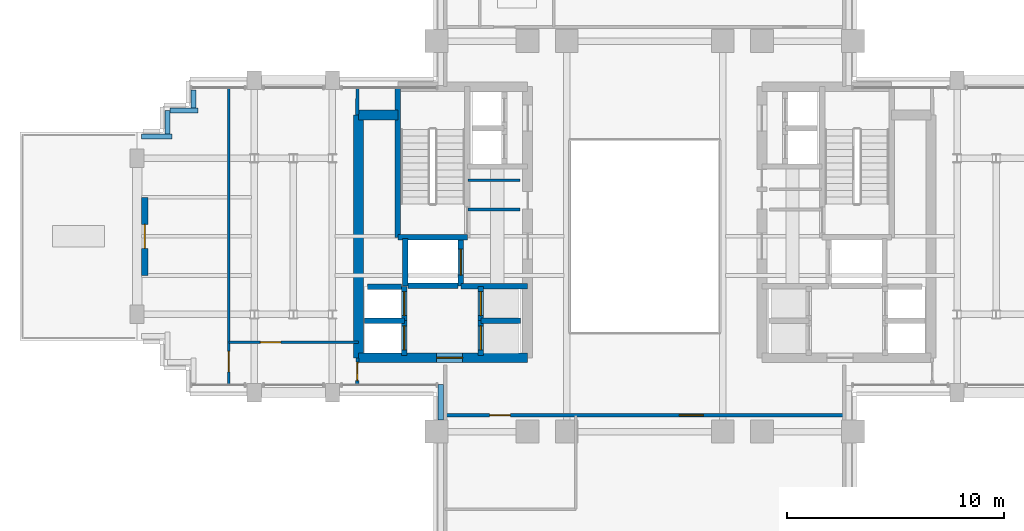
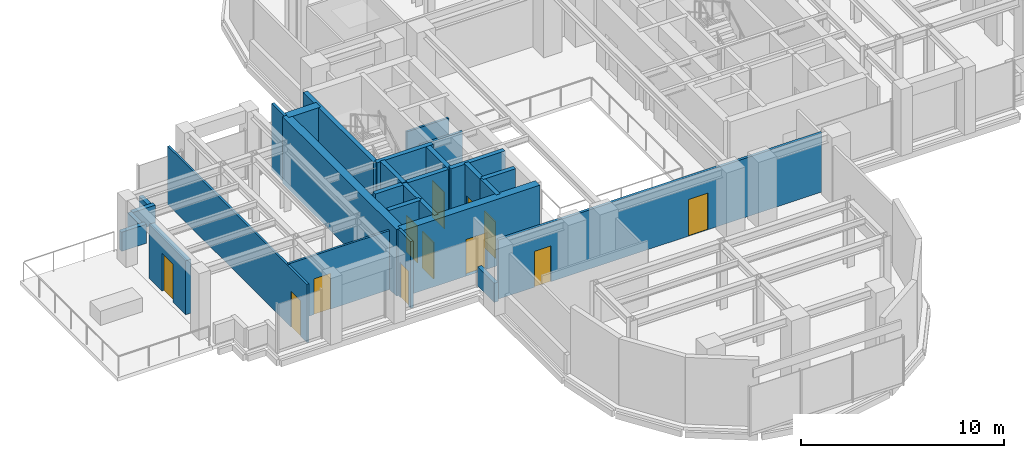
# One storey, part 8 of 16: 29 walls, 12 doors, 12 openings.
"""IFC4 building model written with IfcOpenShell, lengths in metres."""

from ifc_helpers import new_model, si_unit, direction, frame, frame_2d, origin, place, context, subcontext, project, spatial, rectangle, extrude, source, transform, mapped, material, layer, layer_set, type_object, element, fill, save


model = new_model("IFC4")

# Units and contexts
model_context = context("Model", 3, precision=1e-05, world=origin(), true_north=direction((0.0, 1.0)))
body_context = subcontext(model_context, "Body", "Model", "MODEL_VIEW")
ifc_project = project(units=[si_unit("LENGTHUNIT", "METRE"), si_unit("AREAUNIT", "SQUARE_METRE"), si_unit("VOLUMEUNIT", "CUBIC_METRE"), si_unit("PLANEANGLEUNIT", "RADIAN"), si_unit("MASSUNIT", "GRAM", prefix="KILO")], contexts=[model_context])

# Site, building, storey
site_placement = place(None, origin())
site = spatial("IfcSite", under=ifc_project, at=site_placement, CompositionType="ELEMENT")
building_placement = place(site_placement, origin())
building = spatial("IfcBuilding", under=site, at=building_placement, Name="Keilestroom Media Tower", CompositionType="ELEMENT")
storey_placement = place(building_placement, frame((0.0, 0.0, 93.0)))
storey = spatial("IfcBuildingStorey", under=building, at=storey_placement, Name="L24", CompositionType="ELEMENT", Elevation=93.0)

# Wall, opening, door
ifc_material_1 = material(Name="Precast concrete C40/50", Category="concrete")
ifc_layer_1 = layer(ifc_material_1, 0.300048828125)
ifc_layer_set_1 = layer_set([ifc_layer_1], Name="Precast concrete C40/50")
wall_type_1 = type_object("IfcWallType", Name="Exterior-Masonry-Spandrel-Wall-300", PredefinedType="SOLIDWALL", material=ifc_layer_set_1)
wall_1_placement = place(storey_placement, frame((-23.050048828125, -1.800048828125, 0.0), z_axis=(0.0, 0.0, 1.0), x_axis=(0.0, 1.0, 0.0)))
wall_1 = element("IfcWall", 1, at=wall_1_placement, inside=storey, type_object=wall_type_1, Name="L24 Terrace Threshold Wall SG24-W", PredefinedType="SOLIDWALL", context=body_context, shape_type="SweptSolid", body=[
    extrude(rectangle(XDim=3.60009765625, YDim=0.300048828125, at=frame_2d((1.800048828125, 0.0))), origin(), (0.0, 0.0, 1.0), 3.25),
])
opening_1_placement = place(wall_1_placement, frame((1.25, 0.0, 0.0)))
opening_1 = element("IfcOpeningElement", 2, at=opening_1_placement, cuts=wall_1, Name="Opening DE-02", PredefinedType="OPENING", context=body_context, shape_type="SweptSolid", body=[
    extrude(rectangle(XDim=1.10009765625, YDim=2.300048828125, at=frame_2d((0.550048828125, 1.14990234375))), frame((0.0, 0.16015625, 0.0), z_axis=(0.0, -1.0, 0.0), x_axis=(1.0, 0.0, 0.0)), (0.0, 0.0, 1.0), 0.320068359375),
])
ifc_material_2 = material(Name="Thermally Broken Aluminium & Laminated Glass", Category="aluminium")
door_type_1 = type_object("IfcDoorType", Name="Exterior-Entrance-And-Terrace-Door-DE-02", OperationType="NOTDEFINED", PredefinedType="DOOR", material=ifc_material_2)
shared_shape_1 = source(origin(), body_context, "Body", "SweptSolid", [
    extrude(rectangle(XDim=1.10009765625, YDim=2.300048828125, at=frame_2d((0.550048828125, 1.14990234375))), frame((0.0, 0.02490234375, 0.0), z_axis=(0.0, -1.0, 0.0), x_axis=(1.0, 0.0, 0.0)), (0.0, 0.0, 1.0), 0.050048828125),
])
door_1_placement = place(opening_1_placement, origin())
door_1 = element("IfcDoor", 3, at=door_1_placement, inside=storey, type_object=door_type_1, Name="L24 Terrace Access Door DE-02 SG24-W", OperationType="SINGLE_SWING_LEFT", OverallHeight=2.300048828125, OverallWidth=1.10009765625, PredefinedType="DOOR", context=body_context, shape_type="MappedRepresentation", body=[
    mapped(shared_shape_1, transform((0.0, 0.0, 0.0), x_axis=(1.0, 0.0, 0.0), y_axis=(0.0, 1.0, 0.0), z_axis=(0.0, 0.0, 1.0), scale=1.0)),
])
fill(opening_1, door_1)

# Wall
ifc_material_3 = material(Name="Gypsum Plasterboard & Steel Stud", Category="steel")
ifc_layer_2 = layer(ifc_material_3, 0.1201171875)
ifc_layer_set_2 = layer_set([ifc_layer_2], Name="Gypsum Plasterboard & Steel Stud")
wall_type_2 = type_object("IfcWallType", Name="Interior-Partition-Wall-120", PredefinedType="PARTITIONING", material=ifc_layer_set_2)
wall_2_placement = place(storey_placement, frame((-8.139892578125, 2.580078125, 0.0), z_axis=(0.0, 0.0, 1.0), x_axis=(1.0, 0.0, 0.0)))
element("IfcWall", 4, at=wall_2_placement, inside=storey, type_object=wall_type_2, Name="L24 Interior Wall WP-L24-CNW-N", PredefinedType="PARTITIONING", context=body_context, shape_type="SweptSolid", body=[
    extrude(rectangle(XDim=2.389892578125, YDim=0.1201171875, at=frame_2d((1.19482421875, 0.0))), origin(), (0.0, 0.0, 1.0), 3.10009765625),
])

# Wall, opening, door
wall_3_placement = place(storey_placement, frame((-19.169921875, -4.8798828125, 0.0), z_axis=(0.0, 0.0, 1.0), x_axis=(1.0, 0.0, 0.0)))
wall_3 = element("IfcWall", 5, at=wall_3_placement, inside=storey, type_object=wall_type_2, Name="L24 Interior Wall WP-L24-WA-CN", PredefinedType="PARTITIONING", context=body_context, shape_type="SweptSolid", body=[
    extrude(rectangle(XDim=5.969970703125, YDim=0.1201171875, at=frame_2d((2.98486328125, 0.0))), origin(), (0.0, 0.0, 1.0), 3.550048828125),
])
opening_2_placement = place(wall_3_placement, frame((1.449951171875, 0.0, 0.0)))
opening_2 = element("IfcOpeningElement", 6, at=opening_2_placement, cuts=wall_3, Name="Opening DI-03", PredefinedType="OPENING", context=body_context, shape_type="SweptSolid", body=[
    extrude(rectangle(XDim=0.949951171875, YDim=2.14990234375, at=frame_2d((0.47509765625, 1.074951171875))), frame((0.0, 0.070068359375, 0.0), z_axis=(0.0, -1.0, 0.0), x_axis=(1.0, 0.0, 0.0)), (0.0, 0.0, 1.0), 0.14013671875),
])
ifc_material_4 = material(Name="Lacquered European Oak Leaf", Category="wood")
door_type_2 = type_object("IfcDoorType", Name="Interior-Room-And-Suite-Door-DI-03", OperationType="NOTDEFINED", PredefinedType="DOOR", material=ifc_material_4)
shared_shape_2 = source(origin(), body_context, "Body", "SweptSolid", [
    extrude(rectangle(XDim=0.949951171875, YDim=2.14990234375, at=frame_2d((0.47509765625, 1.074951171875))), frame((0.0, 0.02490234375, 0.0), z_axis=(0.0, -1.0, 0.0), x_axis=(1.0, 0.0, 0.0)), (0.0, 0.0, 1.0), 0.050048828125),
])
door_2_placement = place(opening_2_placement, origin())
door_2 = element("IfcDoor", 7, at=door_2_placement, inside=storey, type_object=door_type_2, Name="L24 Interior Door DI-L24-DWA-RN", OperationType="SINGLE_SWING_RIGHT", OverallHeight=2.14990234375, OverallWidth=0.949951171875, PredefinedType="DOOR", context=body_context, shape_type="MappedRepresentation", body=[
    mapped(shared_shape_2, transform((0.0, 0.0, 0.0), x_axis=(1.0, 0.0, 0.0), y_axis=(0.0, 1.0, 0.0), z_axis=(0.0, 0.0, 1.0), scale=1.0)),
])
fill(opening_2, door_2)

wall_4_placement = place(storey_placement, frame((-19.169921875, -6.85009765625, 0.0), z_axis=(0.0, 0.0, 1.0), x_axis=(0.0, 1.0, 0.0)))
wall_4 = element("IfcWall", 8, at=wall_4_placement, inside=storey, type_object=wall_type_2, Name="L24 Interior Wall WP-L24-WA-CE", PredefinedType="PARTITIONING", context=body_context, shape_type="SweptSolid", body=[
    extrude(rectangle(XDim=13.7001953125, YDim=0.1201171875, at=frame_2d((6.85009765625, 0.0))), origin(), (0.0, 0.0, 1.0), 3.5),
])
opening_3_placement = place(wall_4_placement, frame((0.60009765625, 0.0, 0.0)))
opening_3 = element("IfcOpeningElement", 9, at=opening_3_placement, cuts=wall_4, Name="Opening DI-03", PredefinedType="OPENING", context=body_context, shape_type="SweptSolid", body=[
    extrude(rectangle(XDim=0.949951171875, YDim=2.14990234375, at=frame_2d((0.47509765625, 1.074951171875))), frame((0.0, 0.070068359375, 0.0), z_axis=(0.0, -1.0, 0.0), x_axis=(1.0, 0.0, 0.0)), (0.0, 0.0, 1.0), 0.14013671875),
])
door_3_placement = place(opening_3_placement, origin())
door_3 = element("IfcDoor", 10, at=door_3_placement, inside=storey, type_object=door_type_2, Name="L24 Interior Door DI-L24-DWA-END", OperationType="SINGLE_SWING_LEFT", OverallHeight=2.14990234375, OverallWidth=0.949951171875, PredefinedType="DOOR", context=body_context, shape_type="MappedRepresentation", body=[
    mapped(shared_shape_2, transform((0.0, 0.0, 0.0), x_axis=(1.0, 0.0, 0.0), y_axis=(0.0, 1.0, 0.0), z_axis=(0.0, 0.0, 1.0), scale=1.0)),
])
fill(opening_3, door_3)

# Wall
ifc_layer_3 = layer(ifc_material_3, 0.14990234375)
ifc_layer_set_3 = layer_set([ifc_layer_3], Name="Gypsum Plasterboard & Steel Stud")
wall_type_3 = type_object("IfcWallType", Name="Interior-Partition-Wall-150", PredefinedType="PARTITIONING", material=ifc_layer_set_3)
wall_5_placement = place(storey_placement, frame((-8.139892578125, 1.239990234375, 0.0), z_axis=(0.0, 0.0, 1.0), x_axis=(1.0, 0.0, 0.0)))
element("IfcWall", 11, at=wall_5_placement, inside=storey, type_object=wall_type_3, Name="L24 Interior Wall WP-L24-FFW-TOP", PredefinedType="PARTITIONING", context=body_context, shape_type="SweptSolid", body=[
    extrude(rectangle(XDim=2.389892578125, YDim=0.14990234375, at=frame_2d((1.19482421875, 0.0))), origin(), (0.0, 0.0, 1.0), 3.10009765625),
])

# Wall, openings, doors
wall_6_placement = place(storey_placement, frame((-9.199951171875, -8.25, 0.0), z_axis=(0.0, 0.0, 1.0), x_axis=(1.0, 0.0, 0.0)))
wall_6 = element("IfcWall", 12, at=wall_6_placement, inside=storey, type_object=wall_type_3, Name="L24 Interior Wall WP-L24-SL-BASE", PredefinedType="PARTITIONING", context=body_context, shape_type="SweptSolid", body=[
    extrude(rectangle(XDim=18.39990234375, YDim=0.14990234375, at=frame_2d((9.199951171875, 0.0))), origin(), (0.0, 0.0, 1.0), 3.550048828125),
])
opening_4_placement = place(wall_6_placement, frame((2.050048828125, 0.0, 0.0)))
opening_4 = element("IfcOpeningElement", 13, at=opening_4_placement, cuts=wall_6, Name="Opening DI-03", PredefinedType="OPENING", context=body_context, shape_type="SweptSolid", body=[
    extrude(rectangle(XDim=0.949951171875, YDim=2.14990234375, at=frame_2d((0.47509765625, 1.074951171875))), frame((0.0, 0.0849609375, 0.0), z_axis=(0.0, -1.0, 0.0), x_axis=(1.0, 0.0, 0.0)), (0.0, 0.0, 1.0), 0.169921875),
])
opening_5_placement = place(wall_6_placement, frame((10.800048828125, 0.0, 0.0)))
opening_5 = element("IfcOpeningElement", 14, at=opening_5_placement, cuts=wall_6, Name="Opening DI-04", PredefinedType="OPENING", context=body_context, shape_type="SweptSolid", body=[
    extrude(rectangle(XDim=1.10009765625, YDim=2.199951171875, at=frame_2d((0.550048828125, 1.10009765625))), frame((0.0, 0.0849609375, 0.0), z_axis=(0.0, -1.0, 0.0), x_axis=(1.0, 0.0, 0.0)), (0.0, 0.0, 1.0), 0.169921875),
])
door_4_placement = place(opening_4_placement, origin())
door_4 = element("IfcDoor", 15, at=door_4_placement, inside=storey, type_object=door_type_2, Name="L24 Interior Door DI-L24-DSL-FR", OperationType="SINGLE_SWING_RIGHT", OverallHeight=2.14990234375, OverallWidth=0.949951171875, PredefinedType="DOOR", context=body_context, shape_type="MappedRepresentation", body=[
    mapped(shared_shape_2, transform((0.0, 0.0, 0.0), x_axis=(1.0, 0.0, 0.0), y_axis=(0.0, 1.0, 0.0), z_axis=(0.0, 0.0, 1.0), scale=1.0)),
])
fill(opening_4, door_4)
ifc_material_5 = material(Name="Acoustic Glazed Aluminium Leaf", Category="aluminium")
door_type_3 = type_object("IfcDoorType", Name="Interior-Room-And-Suite-Door-DI-04", OperationType="NOTDEFINED", PredefinedType="DOOR", material=ifc_material_5)
shared_shape_3 = source(origin(), body_context, "Body", "SweptSolid", [
    extrude(rectangle(XDim=1.10009765625, YDim=2.199951171875, at=frame_2d((0.550048828125, 1.10009765625))), frame((0.0, 0.02490234375, 0.0), z_axis=(0.0, -1.0, 0.0), x_axis=(1.0, 0.0, 0.0)), (0.0, 0.0, 1.0), 0.050048828125),
])
door_5_placement = place(opening_5_placement, origin())
door_5 = element("IfcDoor", 16, at=door_5_placement, inside=storey, type_object=door_type_3, Name="L24 Interior Door DI-L24-DSL-RR", OperationType="SINGLE_SWING_LEFT", OverallHeight=2.199951171875, OverallWidth=1.10009765625, PredefinedType="DOOR", context=body_context, shape_type="MappedRepresentation", body=[
    mapped(shared_shape_3, transform((0.0, 0.0, 0.0), x_axis=(1.0, 0.0, 0.0), y_axis=(0.0, 1.0, 0.0), z_axis=(0.0, 0.0, 1.0), scale=1.0)),
])
fill(opening_5, door_5)

# Wall
wall_7_placement = place(storey_placement, frame((-13.260009765625, 5.60009765625, 0.0), z_axis=(0.0, 0.0, 1.0), x_axis=(0.016013571389, 0.999871774545, 0.0)))
element("IfcWall", 17, at=wall_7_placement, inside=storey, type_object=wall_type_3, Name="L24 Interior Wall WP-L24-WA-ENTN", PredefinedType="PARTITIONING", context=body_context, shape_type="SweptSolid", body=[
    extrude(rectangle(XDim=1.250244140625, YDim=0.14990234375, at=frame_2d((0.625, 0.0))), origin(), (0.0, 0.0, 1.0), 4.0),
])

# Wall, opening, door
wall_8_placement = place(storey_placement, frame((-13.260009765625, -6.85009765625, 0.0), z_axis=(0.0, 0.0, 1.0), x_axis=(0.016013571389, 0.999871774545, 0.0)))
wall_8 = element("IfcWall", 18, at=wall_8_placement, inside=storey, type_object=wall_type_3, Name="L24 Interior Wall WP-L24-WA-ENTS", PredefinedType="PARTITIONING", context=body_context, shape_type="SweptSolid", body=[
    extrude(rectangle(XDim=1.250244140625, YDim=0.14990234375, at=frame_2d((0.625, 0.0))), origin(), (0.0, 0.0, 1.0), 4.0),
])
opening_6_placement = place(wall_8_placement, frame((0.199951171875, 0.0, 0.0)))
opening_6 = element("IfcOpeningElement", 19, at=opening_6_placement, cuts=wall_8, Name="Opening DI-05", PredefinedType="OPENING", context=body_context, shape_type="SweptSolid", body=[
    extrude(rectangle(XDim=0.85009765625, YDim=2.10009765625, at=frame_2d((0.425048828125, 1.050048828125))), frame((0.0, 0.0849609375, 0.0), z_axis=(0.0, -1.0, 0.0), x_axis=(1.0, 0.0, 0.0)), (0.0, 0.0, 1.0), 0.169921875),
])
ifc_material_6 = material(Name="Moisture-Resistant Oak Leaf", Category="wood")
door_type_4 = type_object("IfcDoorType", Name="Interior-En-Suite-And-Cupboard-Door-DI-05", OperationType="NOTDEFINED", PredefinedType="DOOR", material=ifc_material_6)
shared_shape_4 = source(origin(), body_context, "Body", "SweptSolid", [
    extrude(rectangle(XDim=0.85009765625, YDim=2.10009765625, at=frame_2d((0.425048828125, 1.050048828125))), frame((0.0, 0.02490234375, 0.0), z_axis=(0.0, -1.0, 0.0), x_axis=(1.0, 0.0, 0.0)), (0.0, 0.0, 1.0), 0.050048828125),
])
door_6_placement = place(opening_6_placement, origin())
door_6 = element("IfcDoor", 20, at=door_6_placement, inside=storey, type_object=door_type_4, Name="L24 Interior Door DI-L24-DWA-ENTS", OperationType="SINGLE_SWING_RIGHT", OverallHeight=2.10009765625, OverallWidth=0.85009765625, PredefinedType="DOOR", context=body_context, shape_type="MappedRepresentation", body=[
    mapped(shared_shape_4, transform((0.0, 0.0, 0.0), x_axis=(1.0, 0.0, 0.0), y_axis=(0.0, 1.0, 0.0), z_axis=(0.0, 0.0, 1.0), scale=1.0)),
])
fill(opening_6, door_6)

# Walls
ifc_material_7 = material(Name="Concrete C55/67", Category="concrete")
ifc_layer_4 = layer(ifc_material_7, 0.449951171875)
ifc_layer_set_4 = layer_set([ifc_layer_4], Name="Concrete C55/67")
wall_type_4 = type_object("IfcWallType", Name="Reinforced-Concrete-Core-Shear-Wall-450", PredefinedType="SHEAR", material=ifc_layer_set_4)
wall_9_placement = place(storey_placement, frame((-13.199951171875, -5.60009765625, 0.0), z_axis=(0.0, 0.0, 1.0), x_axis=(0.0, 1.0, 0.0)))
element("IfcWall", 21, at=wall_9_placement, inside=storey, type_object=wall_type_4, Name="L24 Core Shear Wall WL-L24-CORE-W-OUT", PredefinedType="SHEAR", context=body_context, shape_type="SweptSolid", body=[
    extrude(rectangle(XDim=11.2001953125, YDim=0.449951171875, at=frame_2d((5.60009765625, 0.0))), origin(), (0.0, 0.0, 1.0), 4.0),
])
wall_10_placement = place(storey_placement, frame((-13.199951171875, 5.60009765625, 0.0), z_axis=(0.0, 0.0, 1.0), x_axis=(1.0, 0.0, 0.0)))
element("IfcWall", 22, at=wall_10_placement, inside=storey, type_object=wall_type_4, Name="L24 Core Shear Wall WL-L24-CNW-N", PredefinedType="SHEAR", context=body_context, shape_type="SweptSolid", body=[
    extrude(rectangle(XDim=1.81884765625, YDim=0.449951171875, at=frame_2d((0.909423828125, 0.0))), origin(), (0.0, 0.0, 1.0), 4.0),
])

# Wall, opening, door
wall_11_placement = place(storey_placement, frame((-13.199951171875, -5.60009765625, 0.0), z_axis=(0.0, 0.0, 1.0), x_axis=(1.0, 0.0, 0.0)))
wall_11 = element("IfcWall", 23, at=wall_11_placement, inside=storey, type_object=wall_type_4, Name="L24 Core Shear Wall WL-L24-CORE-W-S", PredefinedType="SHEAR", context=body_context, shape_type="SweptSolid", body=[
    extrude(rectangle(XDim=7.800048828125, YDim=0.449951171875, at=frame_2d((3.89990234375, 0.0))), origin(), (0.0, 0.0, 1.0), 4.0),
])
opening_7_placement = place(wall_11_placement, frame((3.60009765625, 0.0, 0.0)))
opening_7 = element("IfcOpeningElement", 24, at=opening_7_placement, cuts=wall_11, Name="Opening DI-02", PredefinedType="OPENING", context=body_context, shape_type="SweptSolid", body=[
    extrude(rectangle(XDim=1.199951171875, YDim=2.199951171875, at=frame_2d((0.60009765625, 1.10009765625))), frame((0.0, 0.23486328125, 0.0), z_axis=(0.0, -1.0, 0.0), x_axis=(1.0, 0.0, 0.0)), (0.0, 0.0, 1.0), 0.469970703125),
])
ifc_material_8 = material(Name="Powder-Coated Steel Fire Leaf", Category="steel")
door_type_5 = type_object("IfcDoorType", Name="Interior-Compartment-Fire-Door-DI-02", OperationType="NOTDEFINED", PredefinedType="DOOR", material=ifc_material_8)
shared_shape_5 = source(origin(), body_context, "Body", "SweptSolid", [
    extrude(rectangle(XDim=1.199951171875, YDim=2.199951171875, at=frame_2d((0.60009765625, 1.10009765625))), frame((0.0, 0.02490234375, 0.0), z_axis=(0.0, -1.0, 0.0), x_axis=(1.0, 0.0, 0.0)), (0.0, 0.0, 1.0), 0.050048828125),
])
door_7_placement = place(opening_7_placement, origin())
door_7 = element("IfcDoor", 25, at=door_7_placement, inside=storey, type_object=door_type_5, Name="L24 W Passenger Lift Lobby Door", OperationType="SINGLE_SWING_LEFT", OverallHeight=2.199951171875, OverallWidth=1.199951171875, PredefinedType="DOOR", context=body_context, shape_type="MappedRepresentation", body=[
    mapped(shared_shape_5, transform((0.0, 0.0, 0.0), x_axis=(1.0, 0.0, 0.0), y_axis=(0.0, 1.0, 0.0), z_axis=(0.0, 0.0, 1.0), scale=1.0)),
])
fill(opening_7, door_7)

# Walls
ifc_material_9 = material(Name="Concrete C50/60", Category="concrete")
ifc_layer_5 = layer(ifc_material_9, 0.25)
ifc_layer_set_5 = layer_set([ifc_layer_5], Name="Concrete C50/60")
wall_type_5 = type_object("IfcWallType", Name="Reinforced-Concrete-Shaft-Wall-250", PredefinedType="SOLIDWALL", material=ifc_layer_set_5)
wall_12_placement = place(storey_placement, frame((-8.47998046875, -2.300048828125, 0.0), z_axis=(0.0, 0.0, 1.0), x_axis=(1.0, 0.0, 0.0)))
element("IfcWall", 26, at=wall_12_placement, inside=storey, type_object=wall_type_5, Name="L24 Core Shear Wall WL-L24-CORE-W-FFS", PredefinedType="SOLIDWALL", context=body_context, shape_type="SweptSolid", body=[
    extrude(rectangle(XDim=3.080078125, YDim=0.25, at=frame_2d((1.5400390625, 0.0))), origin(), (0.0, 0.0, 1.0), 4.0),
])
wall_13_placement = place(storey_placement, frame((-11.381103515625, -0.041015625, 0.0), z_axis=(0.0, 0.0, 1.0), x_axis=(0.0, 1.0, 0.0)))
element("IfcWall", 27, at=wall_13_placement, inside=storey, type_object=wall_type_5, Name="L24 Core Shear Wall WL-L24-STW-W-FAR", PredefinedType="SOLIDWALL", context=body_context, shape_type="SweptSolid", body=[
    extrude(rectangle(XDim=6.94091796875, YDim=0.25, at=frame_2d((3.470458984375, 0.0))), origin(), (0.0, 0.0, 1.0), 4.0),
])
wall_14_placement = place(storey_placement, frame((-11.381103515625, -0.041015625, 0.0), z_axis=(0.0, 0.0, 1.0), x_axis=(1.0, 0.0, 0.0)))
element("IfcWall", 28, at=wall_14_placement, inside=storey, type_object=wall_type_5, Name="L24 Core Shear Wall WL-L24-STW-W-S", PredefinedType="SOLIDWALL", context=body_context, shape_type="SweptSolid", body=[
    extrude(rectangle(XDim=3.2021484375, YDim=0.25, at=frame_2d((1.60107421875, 0.0))), origin(), (0.0, 0.0, 1.0), 4.0),
])
wall_15_placement = place(storey_placement, frame((-11.050048828125, -2.280029296875, 0.0), z_axis=(0.0, 0.0, 1.0), x_axis=(0.0, 1.0, 0.0)))
element("IfcWall", 29, at=wall_15_placement, inside=storey, type_object=wall_type_5, Name="L24 Core Shear Wall WL-L24-LSH-FFL-1-W", PredefinedType="SOLIDWALL", context=body_context, shape_type="SweptSolid", body=[
    extrude(rectangle(XDim=2.179931640625, YDim=0.25, at=frame_2d((1.08984375, 0.0))), origin(), (0.0, 0.0, 1.0), 4.0),
])

# Wall, opening, door
wall_16_placement = place(storey_placement, frame((-8.47998046875, -2.280029296875, 0.0), z_axis=(0.0, 0.0, 1.0), x_axis=(0.0, 1.0, 0.0)))
wall_16 = element("IfcWall", 30, at=wall_16_placement, inside=storey, type_object=wall_type_5, Name="L24 Core Shear Wall WL-L24-LSH-FFL-1-E", PredefinedType="SOLIDWALL", context=body_context, shape_type="SweptSolid", body=[
    extrude(rectangle(XDim=2.179931640625, YDim=0.25, at=frame_2d((1.08984375, 0.0))), origin(), (0.0, 0.0, 1.0), 4.0),
])
opening_8_placement = place(wall_16_placement, frame((0.489990234375, 0.0, 0.0)))
opening_8 = element("IfcOpeningElement", 31, at=opening_8_placement, cuts=wall_16, Name="Opening LD-02", PredefinedType="OPENING", context=body_context, shape_type="SweptSolid", body=[
    extrude(rectangle(XDim=1.199951171875, YDim=2.199951171875, at=frame_2d((0.60009765625, 1.10009765625))), frame((0.0, 0.135009765625, 0.0), z_axis=(0.0, -1.0, 0.0), x_axis=(1.0, 0.0, 0.0)), (0.0, 0.0, 1.0), 0.27001953125),
])
ifc_material_10 = material(Name="Brushed Stainless Steel Sliding Leaf", Category="steel")
door_type_6 = type_object("IfcDoorType", Name="Lift-Landing-Sliding-Door-LD-02", OperationType="SLIDING_TO_RIGHT", PredefinedType="DOOR", material=ifc_material_10)
door_8_placement = place(opening_8_placement, origin())
door_8 = element("IfcDoor", 32, at=door_8_placement, inside=storey, type_object=door_type_6, Name="L24 Lift FFL-1 Landing Sliding Door", OperationType="SLIDING_TO_RIGHT", OverallHeight=2.199951171875, OverallWidth=1.199951171875, PredefinedType="DOOR", context=body_context, shape_type="MappedRepresentation", body=[
    mapped(shared_shape_5, transform((0.0, 0.0, 0.0), x_axis=(1.0, 0.0, 0.0), y_axis=(0.0, 1.0, 0.0), z_axis=(0.0, 0.0, 1.0), scale=1.0)),
])
fill(opening_8, door_8)

# Wall
wall_17_placement = place(storey_placement, frame((-10.9208984375, -2.280029296875, 0.0), z_axis=(0.0, 0.0, 1.0), x_axis=(1.0, 0.0, 0.0)))
element("IfcWall", 33, at=wall_17_placement, inside=storey, type_object=wall_type_5, Name="L24 Core Shear Wall WL-L24-LSH-FFL-1-S", PredefinedType="SOLIDWALL", context=body_context, shape_type="SweptSolid", body=[
    extrude(rectangle(XDim=2.31201171875, YDim=0.25, at=frame_2d((1.156005859375, 0.0))), origin(), (0.0, 0.0, 1.0), 4.0),
])

# Wall, opening, door
wall_18_placement = place(storey_placement, frame((-11.080078125, -5.47998046875, 0.0), z_axis=(0.0, 0.0, 1.0), x_axis=(0.0, 1.0, 0.0)))
wall_18 = element("IfcWall", 34, at=wall_18_placement, inside=storey, type_object=wall_type_5, Name="L24 Core Shear Wall WL-L24-LSH-PL-L1-E", PredefinedType="SOLIDWALL", context=body_context, shape_type="SweptSolid", body=[
    extrude(rectangle(XDim=1.60009765625, YDim=0.25, at=frame_2d((0.800048828125, 0.0))), origin(), (0.0, 0.0, 1.0), 4.0),
])
opening_9_placement = place(wall_18_placement, frame((0.25, 0.0, 0.0)))
opening_9 = element("IfcOpeningElement", 35, at=opening_9_placement, cuts=wall_18, Name="Opening LD-01", PredefinedType="OPENING", context=body_context, shape_type="SweptSolid", body=[
    extrude(rectangle(XDim=1.10009765625, YDim=2.199951171875, at=frame_2d((0.550048828125, 1.10009765625))), frame((0.0, 0.135009765625, 0.0), z_axis=(0.0, -1.0, 0.0), x_axis=(1.0, 0.0, 0.0)), (0.0, 0.0, 1.0), 0.27001953125),
])
door_type_7 = type_object("IfcDoorType", Name="Lift-Landing-Sliding-Door-LD-01", OperationType="SLIDING_TO_LEFT", PredefinedType="DOOR", material=ifc_material_10)
door_9_placement = place(opening_9_placement, origin())
door_9 = element("IfcDoor", 36, at=door_9_placement, inside=storey, type_object=door_type_7, Name="L24 Lift PL-L1 Landing Sliding Door", OperationType="SLIDING_TO_LEFT", OverallHeight=2.199951171875, OverallWidth=1.10009765625, PredefinedType="DOOR", context=body_context, shape_type="MappedRepresentation", body=[
    mapped(shared_shape_3, transform((0.0, 0.0, 0.0), x_axis=(1.0, 0.0, 0.0), y_axis=(0.0, 1.0, 0.0), z_axis=(0.0, 0.0, 1.0), scale=1.0)),
])
fill(opening_9, door_9)

# Wall
wall_19_placement = place(storey_placement, frame((-12.919921875, -3.8798828125, 0.0), z_axis=(0.0, 0.0, 1.0), x_axis=(1.0, 0.0, 0.0)))
element("IfcWall", 37, at=wall_19_placement, inside=storey, type_object=wall_type_5, Name="L24 Core Shear Wall WL-L24-LSH-PL-L1-N", PredefinedType="SOLIDWALL", context=body_context, shape_type="SweptSolid", body=[
    extrude(rectangle(XDim=1.83984375, YDim=0.25, at=frame_2d((0.919921875, 0.0))), origin(), (0.0, 0.0, 1.0), 4.0),
])

# Wall, opening, door
wall_20_placement = place(storey_placement, frame((-11.080078125, -3.8798828125, 0.0), z_axis=(0.0, 0.0, 1.0), x_axis=(0.0, 1.0, 0.0)))
wall_20 = element("IfcWall", 38, at=wall_20_placement, inside=storey, type_object=wall_type_5, Name="L24 Core Shear Wall WL-L24-LSH-PL-L2-E", PredefinedType="SOLIDWALL", context=body_context, shape_type="SweptSolid", body=[
    extrude(rectangle(XDim=1.559814453125, YDim=0.25, at=frame_2d((0.77978515625, 0.0))), origin(), (0.0, 0.0, 1.0), 4.0),
])
opening_10_placement = place(wall_20_placement, frame((0.22998046875, 0.0, 0.0)))
opening_10 = element("IfcOpeningElement", 39, at=opening_10_placement, cuts=wall_20, Name="Opening LD-01", PredefinedType="OPENING", context=body_context, shape_type="SweptSolid", body=[
    extrude(rectangle(XDim=1.10009765625, YDim=2.199951171875, at=frame_2d((0.550048828125, 1.10009765625))), frame((0.0, 0.135009765625, 0.0), z_axis=(0.0, -1.0, 0.0), x_axis=(1.0, 0.0, 0.0)), (0.0, 0.0, 1.0), 0.27001953125),
])
door_10_placement = place(opening_10_placement, origin())
door_10 = element("IfcDoor", 40, at=door_10_placement, inside=storey, type_object=door_type_7, Name="L24 Lift PL-L2 Landing Sliding Door", OperationType="SLIDING_TO_LEFT", OverallHeight=2.199951171875, OverallWidth=1.10009765625, PredefinedType="DOOR", context=body_context, shape_type="MappedRepresentation", body=[
    mapped(shared_shape_3, transform((0.0, 0.0, 0.0), x_axis=(1.0, 0.0, 0.0), y_axis=(0.0, 1.0, 0.0), z_axis=(0.0, 0.0, 1.0), scale=1.0)),
])
fill(opening_10, door_10)

# Wall
wall_21_placement = place(storey_placement, frame((-12.791015625, -2.320068359375, 0.0), z_axis=(0.0, 0.0, 1.0), x_axis=(1.0, 0.0, 0.0)))
element("IfcWall", 41, at=wall_21_placement, inside=storey, type_object=wall_type_5, Name="L24 Core Shear Wall WL-L24-LSH-PL-L2-N", PredefinedType="SOLIDWALL", context=body_context, shape_type="SweptSolid", body=[
    extrude(rectangle(XDim=1.58203125, YDim=0.25, at=frame_2d((0.791015625, 0.0))), origin(), (0.0, 0.0, 1.0), 4.0),
])

# Wall, opening, door
wall_22_placement = place(storey_placement, frame((-7.56005859375, -5.47998046875, 0.0), z_axis=(0.0, 0.0, 1.0), x_axis=(0.0, 1.0, 0.0)))
wall_22 = element("IfcWall", 42, at=wall_22_placement, inside=storey, type_object=wall_type_5, Name="L24 Core Shear Wall WL-L24-LSH-PL-M1-W", PredefinedType="SOLIDWALL", context=body_context, shape_type="SweptSolid", body=[
    extrude(rectangle(XDim=1.60009765625, YDim=0.25, at=frame_2d((0.800048828125, 0.0))), origin(), (0.0, 0.0, 1.0), 4.0),
])
opening_11_placement = place(wall_22_placement, frame((0.25, 0.0, 0.0)))
opening_11 = element("IfcOpeningElement", 43, at=opening_11_placement, cuts=wall_22, Name="Opening LD-01", PredefinedType="OPENING", context=body_context, shape_type="SweptSolid", body=[
    extrude(rectangle(XDim=1.10009765625, YDim=2.199951171875, at=frame_2d((0.550048828125, 1.10009765625))), frame((0.0, 0.135009765625, 0.0), z_axis=(0.0, -1.0, 0.0), x_axis=(1.0, 0.0, 0.0)), (0.0, 0.0, 1.0), 0.27001953125),
])
door_11_placement = place(opening_11_placement, origin())
door_11 = element("IfcDoor", 44, at=door_11_placement, inside=storey, type_object=door_type_7, Name="L24 Lift PL-M1 Landing Sliding Door", OperationType="SLIDING_TO_LEFT", OverallHeight=2.199951171875, OverallWidth=1.10009765625, PredefinedType="DOOR", context=body_context, shape_type="MappedRepresentation", body=[
    mapped(shared_shape_3, transform((0.0, 0.0, 0.0), x_axis=(1.0, 0.0, 0.0), y_axis=(0.0, 1.0, 0.0), z_axis=(0.0, 0.0, 1.0), scale=1.0)),
])
fill(opening_11, door_11)

# Wall
wall_23_placement = place(storey_placement, frame((-7.56005859375, -3.8798828125, 0.0), z_axis=(0.0, 0.0, 1.0), x_axis=(1.0, 0.0, 0.0)))
element("IfcWall", 45, at=wall_23_placement, inside=storey, type_object=wall_type_5, Name="L24 Core Shear Wall WL-L24-LSH-PL-M1-N", PredefinedType="SOLIDWALL", context=body_context, shape_type="SweptSolid", body=[
    extrude(rectangle(XDim=1.840087890625, YDim=0.25, at=frame_2d((0.919921875, 0.0))), origin(), (0.0, 0.0, 1.0), 4.0),
])

# Wall, opening, door
wall_24_placement = place(storey_placement, frame((-7.56005859375, -3.8798828125, 0.0), z_axis=(0.0, 0.0, 1.0), x_axis=(0.0, 1.0, 0.0)))
wall_24 = element("IfcWall", 46, at=wall_24_placement, inside=storey, type_object=wall_type_5, Name="L24 Core Shear Wall WL-L24-LSH-PL-M2-W", PredefinedType="SOLIDWALL", context=body_context, shape_type="SweptSolid", body=[
    extrude(rectangle(XDim=1.559814453125, YDim=0.25, at=frame_2d((0.77978515625, 0.0))), origin(), (0.0, 0.0, 1.0), 4.0),
])
opening_12_placement = place(wall_24_placement, frame((0.22998046875, 0.0, 0.0)))
opening_12 = element("IfcOpeningElement", 47, at=opening_12_placement, cuts=wall_24, Name="Opening LD-01", PredefinedType="OPENING", context=body_context, shape_type="SweptSolid", body=[
    extrude(rectangle(XDim=1.10009765625, YDim=2.199951171875, at=frame_2d((0.550048828125, 1.10009765625))), frame((0.0, 0.135009765625, 0.0), z_axis=(0.0, -1.0, 0.0), x_axis=(1.0, 0.0, 0.0)), (0.0, 0.0, 1.0), 0.27001953125),
])
door_12_placement = place(opening_12_placement, origin())
door_12 = element("IfcDoor", 48, at=door_12_placement, inside=storey, type_object=door_type_7, Name="L24 Lift PL-M2 Landing Sliding Door", OperationType="SLIDING_TO_LEFT", OverallHeight=2.199951171875, OverallWidth=1.10009765625, PredefinedType="DOOR", context=body_context, shape_type="MappedRepresentation", body=[
    mapped(shared_shape_3, transform((0.0, 0.0, 0.0), x_axis=(1.0, 0.0, 0.0), y_axis=(0.0, 1.0, 0.0), z_axis=(0.0, 0.0, 1.0), scale=1.0)),
])
fill(opening_12, door_12)

# Walls
ifc_layer_6 = layer(ifc_material_1, 0.239990234375)
ifc_layer_set_6 = layer_set([ifc_layer_6], Name="Precast concrete C40/50")
wall_type_6 = type_object("IfcWallType", Name="Roof-And-Terrace-Parapet-Wall-240", PredefinedType="PARAPET", material=ifc_layer_set_6)
wall_25_placement = place(storey_placement, frame((-9.39990234375, -8.471923828125, 0.0), z_axis=(0.0, 0.0, 1.0), x_axis=(0.0, 1.0, 0.0)))
element("IfcWall", 49, at=wall_25_placement, inside=storey, type_object=wall_type_6, Name="L24 Perimeter Edge Parapet Wall 10", PredefinedType="PARAPET", context=body_context, shape_type="SweptSolid", body=[
    extrude(rectangle(XDim=1.653076171875, YDim=0.239990234375, at=frame_2d((0.82666015625, 0.0))), origin(), (0.0, 0.0, 1.0), 1.14990234375),
])
wall_26_placement = place(storey_placement, frame((-23.199951171875, 4.60009765625, 0.0), z_axis=(0.0, 0.0, 1.0), x_axis=(1.0, 0.0, 0.0)))
element("IfcWall", 50, at=wall_26_placement, inside=storey, type_object=wall_type_6, Name="L24 Perimeter Edge Parapet Wall 15", PredefinedType="PARAPET", context=body_context, shape_type="SweptSolid", body=[
    extrude(rectangle(XDim=1.39990234375, YDim=0.239990234375, at=frame_2d((0.699951171875, 0.0))), origin(), (0.0, 0.0, 1.0), 1.14990234375),
])
wall_27_placement = place(storey_placement, frame((-22.0, 4.722900390625, 0.0), z_axis=(0.0, 0.0, 1.0), x_axis=(0.0, 1.0, 0.0)))
element("IfcWall", 51, at=wall_27_placement, inside=storey, type_object=wall_type_6, Name="L24 Perimeter Edge Parapet Wall 16", PredefinedType="PARAPET", context=body_context, shape_type="SweptSolid", body=[
    extrude(rectangle(XDim=1.0771484375, YDim=0.239990234375, at=frame_2d((0.53857421875, 0.0))), origin(), (0.0, 0.0, 1.0), 1.14990234375),
])
wall_28_placement = place(storey_placement, frame((-21.876953125, 5.800048828125, 0.0), z_axis=(0.0, 0.0, 1.0), x_axis=(1.0, 0.0, 0.0)))
element("IfcWall", 52, at=wall_28_placement, inside=storey, type_object=wall_type_6, Name="L24 Perimeter Edge Parapet Wall 17", PredefinedType="PARAPET", context=body_context, shape_type="SweptSolid", body=[
    extrude(rectangle(XDim=1.27685546875, YDim=0.239990234375, at=frame_2d((0.638427734375, 0.0))), origin(), (0.0, 0.0, 1.0), 1.14990234375),
])
wall_29_placement = place(storey_placement, frame((-20.800048828125, 5.923095703125, 0.0), z_axis=(0.0, 0.0, 1.0), x_axis=(0.0, 1.0, 0.0)))
element("IfcWall", 53, at=wall_29_placement, inside=storey, type_object=wall_type_6, Name="L24 Perimeter Edge Parapet Wall 18", PredefinedType="PARAPET", context=body_context, shape_type="SweptSolid", body=[
    extrude(rectangle(XDim=0.833984375, YDim=0.239990234375, at=frame_2d((0.4169921875, 0.0))), origin(), (0.0, 0.0, 1.0), 1.14990234375),
])

save(model, "model.ifc")
